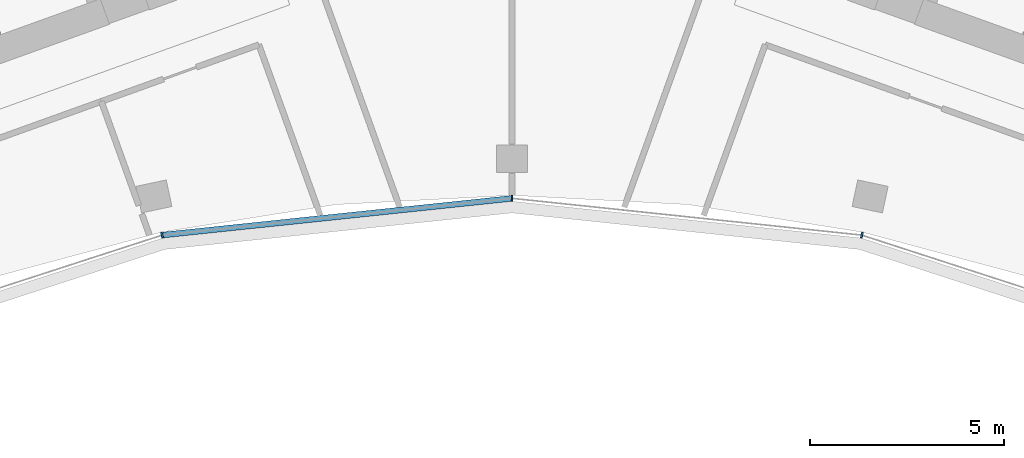
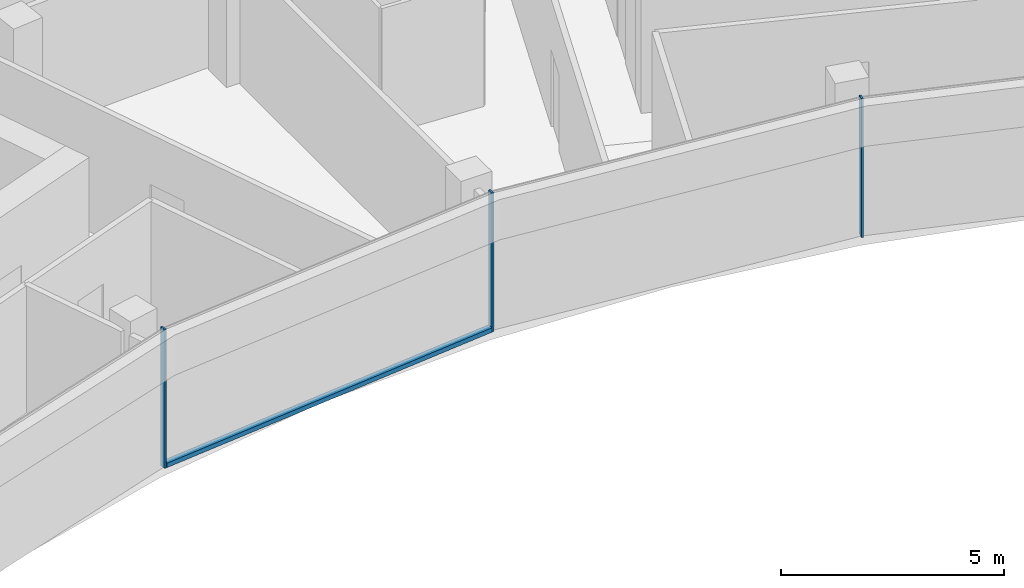
# One storey, part 5 of 18: 4 members, 1 element without a shape of its own.
"""IFC4 building model written with IfcOpenShell, lengths in metres."""

from ifc_helpers import new_model, si_unit, direction, frame, origin, origin_2d, place, context, subcontext, project, spatial, rectangle, extrude, material, layer, layer_set, material_profile, profile_set, type_object, element, aggregate, save


model = new_model("IFC4")

# Units and contexts
model_context = context("Model", 3, precision=1e-05, world=origin(), true_north=direction((0.0, 1.0)))
body_context = subcontext(model_context, "Body", "Model", "MODEL_VIEW")
ifc_project = project(units=[si_unit("LENGTHUNIT", "METRE"), si_unit("AREAUNIT", "SQUARE_METRE"), si_unit("VOLUMEUNIT", "CUBIC_METRE"), si_unit("PLANEANGLEUNIT", "RADIAN"), si_unit("MASSUNIT", "GRAM", prefix="KILO")], contexts=[model_context])

# Site, building, storey
site_placement = place(None, origin())
site = spatial("IfcSite", under=ifc_project, at=site_placement, CompositionType="ELEMENT")
building_placement = place(site_placement, origin())
building = spatial("IfcBuilding", under=site, at=building_placement, Name="Stone Belt Terrace Tower", CompositionType="ELEMENT")
storey_placement = place(building_placement, frame((0.0, 0.0, 273.199951171875)))
storey = spatial("IfcBuildingStorey", under=building, at=storey_placement, Name="L66", CompositionType="ELEMENT", Elevation=273.199951171875)

# Curtain wall, members
ifc_material = material(Name="Aluminium 6063-T6 anodised frame", Category="aluminium")
ifc_layer = layer(ifc_material, 0.14990234375)
ifc_layer_set = layer_set([ifc_layer], Name="CW-B unitised concave-face curtain wall")
curtain_wall_type = type_object("IfcCurtainWallType", Name="CW-B unitised concave-face curtain wall", PredefinedType="NOTDEFINED", material=ifc_layer_set)
curtain_wall_placement = place(storey_placement, origin())
curtain_wall = element("IfcCurtainWall", 1, at=curtain_wall_placement, inside=storey, type_object=curtain_wall_type, Name="CW-B concave face L66", PredefinedType="NOTDEFINED")
ifc_material_profile_1 = material_profile(ifc_material, rectangle(XDim=0.14990234375, YDim=0.050048828125, at=origin_2d()), Name="Aluminium 6063-T6 50x150")
ifc_profile_set_1 = profile_set([ifc_material_profile_1], Name="Aluminium 6063-T6 anodised frame")
member_type_1 = type_object("IfcMemberType", Name="CW-B mullion 50 x 150", PredefinedType="MULLION", material=ifc_profile_set_1)
member_1_placement = place(storey_placement, frame((-9.028564453125, 42.4755859375, 0.0), z_axis=(0.0, 0.0, 1.0), x_axis=(-0.207911690818, 0.978147600734, 0.0)))
member_1 = element("IfcMember", 2, at=member_1_placement, type_object=member_type_1, Name="CW-B mullion 4", PredefinedType="MULLION", context=body_context, shape_type="SweptSolid", body=[
    extrude(rectangle(XDim=0.14990234375, YDim=0.050048828125, at=origin_2d()), origin(), (0.0, 0.0, 1.0), 3.800048828125),
])
member_2_placement = place(storey_placement, frame((0.0, 43.424560546875, 0.0), z_axis=(0.0, 0.0, 1.0), x_axis=(0.0, 1.0, 0.0)))
member_2 = element("IfcMember", 3, at=member_2_placement, type_object=member_type_1, Name="CW-B mullion 5", PredefinedType="MULLION", context=body_context, shape_type="SweptSolid", body=[
    extrude(rectangle(XDim=0.14990234375, YDim=0.050048828125, at=origin_2d()), origin(), (0.0, 0.0, 1.0), 3.800048828125),
])
member_3_placement = place(storey_placement, frame((9.028564453125, 42.4755859375, 0.0), z_axis=(0.0, 0.0, 1.0), x_axis=(0.207911690818, 0.978147600734, 0.0)))
member_3 = element("IfcMember", 4, at=member_3_placement, type_object=member_type_1, Name="CW-B mullion 6", PredefinedType="MULLION", context=body_context, shape_type="SweptSolid", body=[
    extrude(rectangle(XDim=0.14990234375, YDim=0.050048828125, at=origin_2d()), origin(), (0.0, 0.0, 1.0), 3.800048828125),
])
ifc_material_profile_2 = material_profile(ifc_material, rectangle(XDim=0.14990234375, YDim=0.1201171875, at=origin_2d()), Name="Aluminium 6063-T6 150x120")
ifc_profile_set_2 = profile_set([ifc_material_profile_2], Name="Aluminium 6063-T6 anodised frame")
member_type_2 = type_object("IfcMemberType", Name="CW-B transom 120 x 150", PredefinedType="USERDEFINED", material=ifc_profile_set_2)
member_4_placement = place(storey_placement, frame((-8.995849609375, 42.47900390625, 0.06005859375), z_axis=(0.994521323407, 0.104533904969, 0.0), x_axis=(-0.104533904969, 0.994521323407, 0.0)))
member_4 = element("IfcMember", 5, at=member_4_placement, type_object=member_type_2, Name="CW-B transom 4.1", ObjectType="TRANSOM", PredefinedType="USERDEFINED", context=body_context, shape_type="SweptSolid", body=[
    extrude(rectangle(XDim=0.14990234375, YDim=0.1201171875, at=origin_2d()), origin(), (0.0, 0.0, 1.0), 9.0126953125),
])
aggregate(curtain_wall, [member_1, member_2, member_3, member_4])

save(model, "model.ifc")
